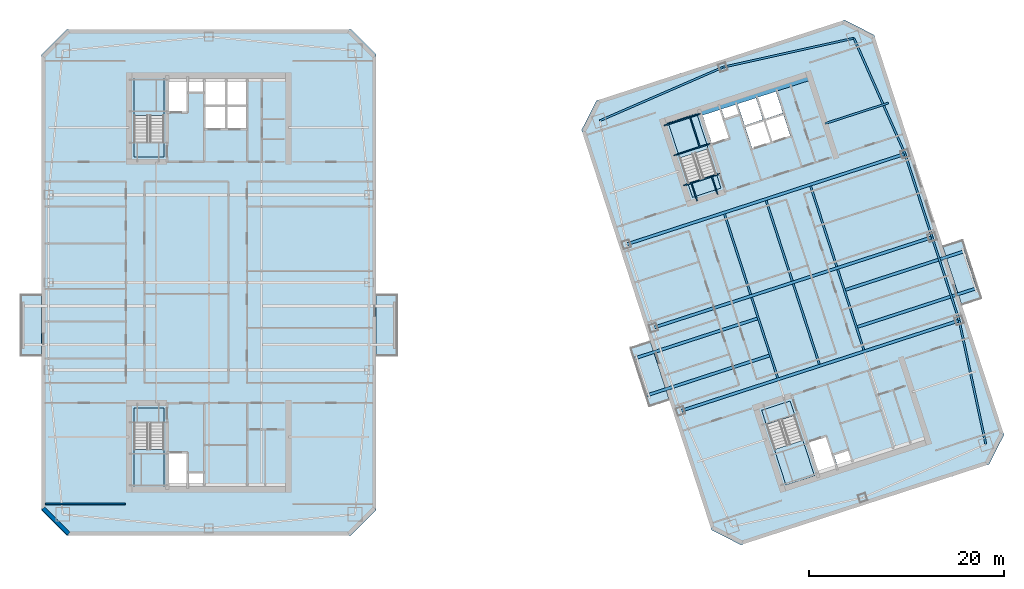
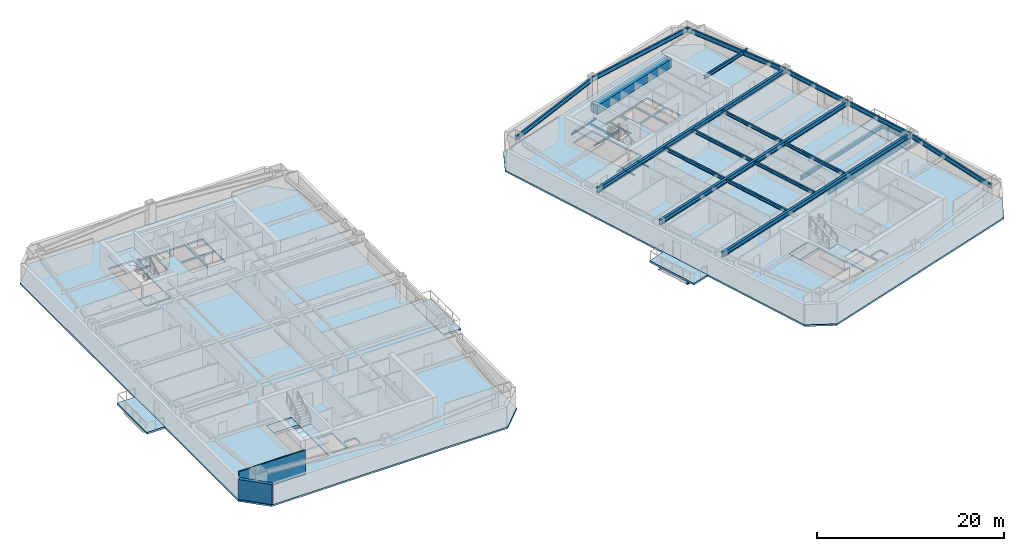
# One storey, part 4 of 15: 28 beams, 14 slabs, 2 walls, 4 elements without a shape of their own.
"""IFC4 building model written with IfcOpenShell, lengths in metres."""

from ifc_helpers import new_model, si_unit, direction, frame, frame_2d, origin, origin_2d, place, context, subcontext, project, spatial, polyline, rectangle, i_section, outline, extrude, material, layer, layer_set, material_profile, profile_set, type_object, element, aggregate, save


model = new_model("IFC4")

# Units and contexts
model_context = context("Model", 3, precision=1e-05, world=origin(), true_north=direction((0.0, 1.0)))
body_context = subcontext(model_context, "Body", "Model", "MODEL_VIEW")
ifc_project = project(units=[si_unit("LENGTHUNIT", "METRE"), si_unit("AREAUNIT", "SQUARE_METRE"), si_unit("VOLUMEUNIT", "CUBIC_METRE"), si_unit("PLANEANGLEUNIT", "RADIAN"), si_unit("MASSUNIT", "GRAM", prefix="KILO")], contexts=[model_context])

# Site, building, storey
site_placement = place(None, origin())
site = spatial("IfcSite", under=ifc_project, at=site_placement, CompositionType="ELEMENT")
building_placement = place(site_placement, origin())
building = spatial("IfcBuilding", under=site, at=building_placement, Name="Qiaolan Cultural Towers", CompositionType="ELEMENT")
storey_placement = place(building_placement, frame((0.0, 0.0, 166.75)))
storey = spatial("IfcBuildingStorey", under=building, at=storey_placement, Name="L44", CompositionType="ELEMENT", Elevation=166.75)

# Beams
ifc_material_1 = material(Name="Steel Q355B", Category="steel")
ifc_material_profile_1 = material_profile(ifc_material_1, i_section(OverallWidth=0.300048828125, OverallDepth=0.488037109375, WebThickness=0.010986328125, FlangeThickness=0.01806640625, at=origin_2d()), Name="HM488x300x11x18")
ifc_profile_set_1 = profile_set([ifc_material_profile_1], Name="Steel Q355B")
beam_type_1 = type_object("IfcBeamType", Name="BM-HM488x300x11x18", PredefinedType="BEAM", material=ifc_profile_set_1)
for number, where, z_axis, x_axis, name in (
    (1, (87.697998046875, 26.522705078125, -0.52392578125), (-0.951053553769, -0.309026111943, 0.0), (0.309026111943, -0.951053553769, 0.0), "L44 T2 Tree Balcony Back-Spanned Bracket Beam"),
    (2, (86.4619140625, 30.326904296875, -0.52392578125), (-0.951053553769, -0.309026111943, 0.0), (0.309026111943, -0.951053553769, 0.0), "L44 T2 Tree Balcony Back-Spanned Bracket Beam"),
):
    element("IfcBeam", number, at=place(storey_placement, frame(where, z_axis=z_axis, x_axis=x_axis)), inside=storey, type_object=beam_type_1, Name=name, PredefinedType="BEAM", context=body_context, shape_type="SweptSolid", body=[
        extrude(i_section(OverallWidth=0.300048828125, OverallDepth=0.488037109375, WebThickness=0.010986328125, FlangeThickness=0.01806640625, at=origin_2d()), origin(), (0.0, 0.0, 1.0), 13.349853515625),
    ])
for number, where, z_axis, x_axis, name in (
    (3, (96.542724609375, 29.396484375, -0.52392578125), (0.951056200688, 0.309017965713, 0.0), (-0.309017965713, 0.951056200688, 0.0), "L44 T2 Tree Balcony Back-Spanned Bracket Beam"),
    (4, (95.306640625, 33.20068359375, -0.52392578125), (0.951056200688, 0.309017965713, 0.0), (-0.309017965713, 0.951056200688, 0.0), "L44 T2 Tree Balcony Back-Spanned Bracket Beam"),
):
    element("IfcBeam", number, at=place(storey_placement, frame(where, z_axis=z_axis, x_axis=x_axis)), inside=storey, type_object=beam_type_1, Name=name, PredefinedType="BEAM", context=body_context, shape_type="SweptSolid", body=[
        extrude(i_section(OverallWidth=0.300048828125, OverallDepth=0.488037109375, WebThickness=0.010986328125, FlangeThickness=0.01806640625, at=origin_2d()), origin(), (0.0, 0.0, 1.0), 13.050048828125),
    ])
ifc_material_2 = material(Name="Steel Q355B", Category="steel")
ifc_material_profile_2 = material_profile(ifc_material_2, i_section(OverallWidth=0.300048828125, OverallDepth=0.587890625, WebThickness=0.011962890625, FlangeThickness=0.02001953125, at=origin_2d()), Name="HM588x300x12x20")
ifc_profile_set_2 = profile_set([ifc_material_profile_2], Name="Steel Q355B")
beam_type_2 = type_object("IfcBeamType", Name="BM-HM588x300x12x20", PredefinedType="BEAM", material=ifc_profile_set_2)
beam_1_placement = place(storey_placement, frame((78.4677734375, 20.789794921875, 2.89599609375), z_axis=(0.951055226628, 0.309020963535, 0.0), x_axis=(-0.309020963535, 0.951055226628, 0.0)))
element("IfcBeam", 5, at=beam_1_placement, inside=storey, type_object=beam_type_2, Name="L44 T2 Primary Transverse Girder V1", PredefinedType="BEAM", context=body_context, shape_type="SweptSolid", body=[
    extrude(i_section(OverallWidth=0.300048828125, OverallDepth=0.587890625, WebThickness=0.011962890625, FlangeThickness=0.02001953125, at=origin_2d()), origin(), (0.0, 0.0, 1.0), 30.099853515625),
])
beam_2_placement = place(storey_placement, frame((75.6865234375, 29.349365234375, 2.89599609375), z_axis=(0.951058384903, 0.309011243331, 0.0), x_axis=(-0.309011243331, 0.951058384903, 0.0)))
element("IfcBeam", 6, at=beam_2_placement, inside=storey, type_object=beam_type_2, Name="L44 T2 Primary Transverse Girder V2", PredefinedType="BEAM", context=body_context, shape_type="SweptSolid", body=[
    extrude(i_section(OverallWidth=0.300048828125, OverallDepth=0.587890625, WebThickness=0.011962890625, FlangeThickness=0.02001953125, at=origin_2d()), origin(), (0.0, 0.0, 1.0), 30.10009765625),
])
beam_3_placement = place(storey_placement, frame((72.905517578125, 37.90869140625, 2.89599609375), z_axis=(0.951055226628, 0.309020963535, 0.0), x_axis=(-0.309020963535, 0.951055226628, 0.0)))
element("IfcBeam", 7, at=beam_3_placement, inside=storey, type_object=beam_type_2, Name="L44 T2 Primary Transverse Girder V3", PredefinedType="BEAM", context=body_context, shape_type="SweptSolid", body=[
    extrude(i_section(OverallWidth=0.300048828125, OverallDepth=0.587890625, WebThickness=0.011962890625, FlangeThickness=0.02001953125, at=origin_2d()), origin(), (0.0, 0.0, 1.0), 30.099853515625),
])
ifc_material_3 = material(Name="Steel Q355B", Category="steel")
ifc_material_profile_3 = material_profile(ifc_material_3, i_section(OverallWidth=0.175048828125, OverallDepth=0.35009765625, WebThickness=0.007080078125, FlangeThickness=0.010986328125, at=origin_2d()), Name="HN350x175x7x11")
ifc_profile_set_3 = profile_set([ifc_material_profile_3], Name="Steel Q355B")
beam_type_3 = type_object("IfcBeamType", Name="BM-JST-HN350x175x7x11", PredefinedType="JOIST", material=ifc_profile_set_3)
beam_4_placement = place(storey_placement, frame((108.9541015625, 33.42919921875, -0.52392578125), z_axis=(-0.309022586479, 0.951054699292, 0.0), x_axis=(-0.951054699292, -0.309022586479, 0.0)))
element("IfcBeam", 8, at=beam_4_placement, inside=storey, type_object=beam_type_3, Name="L44 T2 Tree Balcony Outer Edge Beam", PredefinedType="JOIST", context=body_context, shape_type="SweptSolid", body=[
    extrude(i_section(OverallWidth=0.175048828125, OverallDepth=0.35009765625, WebThickness=0.007080078125, FlangeThickness=0.010986328125, at=origin_2d()), origin(), (0.0, 0.0, 1.0), 4.0),
])
ifc_material_4 = material(Name="Steel Q355B", Category="steel")
ifc_material_profile_4 = material_profile(ifc_material_4, i_section(OverallWidth=0.199951171875, OverallDepth=0.39990234375, WebThickness=0.008056640625, FlangeThickness=0.012939453125, at=origin_2d()), Name="HN400x200x8x13")
ifc_profile_set_4 = profile_set([ifc_material_profile_4], Name="Steel Q355B")
beam_type_4 = type_object("IfcBeamType", Name="BM-JST-HN400x200x8x13", PredefinedType="JOIST", material=ifc_profile_set_4)
for number, where, z_axis, x_axis, name in (
    (9, (88.455078125, 24.192626953125, 2.989990234375), (-0.309020714809, 0.951055307445, 0.0), (-0.951055307445, -0.309020714809, 0.0), "L44 T2 Secondary Floor Joist U1-2"),
    (10, (85.673828125, 32.752197265625, 2.989990234375), (-0.309020714809, 0.951055307445, 0.0), (-0.951055307445, -0.309020714809, 0.0), "L44 T2 Secondary Floor Joist U1-3"),
    (11, (92.73486328125, 25.583251953125, 2.989990234375), (-0.309020714809, 0.951055307445, 0.0), (-0.951055307445, -0.309020714809, 0.0), "L44 T2 Secondary Floor Joist U2-2"),
    (12, (89.95361328125, 34.142578125, 2.989990234375), (-0.309020714809, 0.951055307445, 0.0), (-0.951055307445, -0.309020714809, 0.0), "L44 T2 Secondary Floor Joist U2-3"),
    (13, (97.2998046875, 27.06640625, 2.989990234375), (-0.309020714809, 0.951055307445, 0.0), (-0.951055307445, -0.309020714809, 0.0), "L44 T2 Secondary Floor Joist U3-2"),
    (14, (94.518798828125, 35.6259765625, 2.989990234375), (-0.309020714809, 0.951055307445, 0.0), (-0.951055307445, -0.309020714809, 0.0), "L44 T2 Secondary Floor Joist U3-3"),
):
    element("IfcBeam", number, at=place(storey_placement, frame(where, z_axis=z_axis, x_axis=x_axis)), inside=storey, type_object=beam_type_4, Name=name, PredefinedType="JOIST", context=body_context, shape_type="SweptSolid", body=[
        extrude(i_section(OverallWidth=0.199951171875, OverallDepth=0.39990234375, WebThickness=0.008056640625, FlangeThickness=0.012939453125, at=origin_2d()), origin(), (0.0, 0.0, 1.0), 8.699951171875),
    ])
ifc_material_5 = material(Name="Steel Q355B", Category="steel")
ifc_material_profile_5 = material_profile(ifc_material_5, i_section(OverallWidth=0.199951171875, OverallDepth=0.449951171875, WebThickness=0.009033203125, FlangeThickness=0.013916015625, at=origin_2d()), Name="HN450x200x9x14")
ifc_profile_set_5 = profile_set([ifc_material_profile_5], Name="Steel Q355B")
beam_type_5 = type_object("IfcBeamType", Name="BM-LNT-HN450x200x9x14", PredefinedType="LINTEL", material=ifc_profile_set_5)
beam_5_placement = place(storey_placement, frame((93.31787109375, 50.32421875, 2.965087890625), z_axis=(0.951061565824, 0.30900145309, 0.0), x_axis=(-0.30900145309, 0.951061565824, 0.0)))
element("IfcBeam", 15, at=beam_5_placement, inside=storey, type_object=beam_type_5, Name="L44 T2 Core Flank Tie Lintel EN", PredefinedType="LINTEL", context=body_context, shape_type="SweptSolid", body=[
    extrude(i_section(OverallWidth=0.199951171875, OverallDepth=0.449951171875, WebThickness=0.009033203125, FlangeThickness=0.013916015625, at=origin_2d()), origin(), (0.0, 0.0, 1.0), 6.85009765625),
])
ifc_material_6 = material(Name="Concrete C50", Category="concrete")
ifc_material_profile_6 = material_profile(ifc_material_6, rectangle(XDim=0.89990234375, YDim=1.10009765625, at=origin_2d()), Name="RC900x1100")
ifc_profile_set_6 = profile_set([ifc_material_profile_6], Name="Concrete C50")
beam_type_6 = type_object("IfcBeamType", Name="BM-RC900x1100", PredefinedType="BEAM", material=ifc_profile_set_6)
beam_6_placement = place(storey_placement, frame((80.427978515625, 51.551025390625, 2.639892578125), z_axis=(0.951056266386, 0.309017763514, 0.0), x_axis=(-0.309017763514, 0.951056266386, 0.0)))
element("IfcBeam", 16, at=beam_6_placement, inside=storey, type_object=beam_type_6, Name="L44 T2 Core Header Girder N", PredefinedType="BEAM", context=body_context, shape_type="SweptSolid", body=[
    extrude(rectangle(XDim=0.89990234375, YDim=1.10009765625, at=origin_2d()), origin(), (0.0, 0.0, 1.0), 11.880126953125),
])
ifc_material_7 = material(Name="Steel Q355B", Category="steel")
ifc_material_profile_7 = material_profile(ifc_material_7, i_section(OverallWidth=0.199951171875, OverallDepth=0.60009765625, WebThickness=0.010986328125, FlangeThickness=0.01708984375, at=origin_2d()), Name="HN600x200x11x17")
ifc_profile_set_7 = profile_set([ifc_material_profile_7], Name="Steel Q355B")
beam_type_7 = type_object("IfcBeamType", Name="BM-SPD-HN600x200x11x17", PredefinedType="SPANDREL", material=ifc_profile_set_7)
beam_7_placement = place(storey_placement, frame((109.834716796875, 17.38623046875, 2.889892578125), z_axis=(-0.210832241173, 0.977522258612, 0.0), x_axis=(-0.977522258612, -0.210832241173, 0.0)))
element("IfcBeam", 17, at=beam_7_placement, inside=storey, type_object=beam_type_7, Name="L44 T2 Perimeter Spandrel Beam 3", PredefinedType="SPANDREL", context=body_context, shape_type="SweptSolid", body=[
    extrude(i_section(OverallWidth=0.199951171875, OverallDepth=0.60009765625, WebThickness=0.010986328125, FlangeThickness=0.01708984375, at=origin_2d()), origin(), (0.0, 0.0, 1.0), 12.997314453125),
])
beam_8_placement = place(storey_placement, frame((107.094482421875, 30.09130859375, 2.889892578125), z_axis=(-0.309008170129, 0.951059383421, 0.0), x_axis=(-0.951059383421, -0.309008170129, 0.0)))
element("IfcBeam", 18, at=beam_8_placement, inside=storey, type_object=beam_type_7, Name="L44 T2 Perimeter Spandrel Beam 4", PredefinedType="SPANDREL", context=body_context, shape_type="SweptSolid", body=[
    extrude(i_section(OverallWidth=0.199951171875, OverallDepth=0.60009765625, WebThickness=0.010986328125, FlangeThickness=0.01708984375, at=origin_2d()), origin(), (0.0, 0.0, 1.0), 8.999755859375),
])
beam_9_placement = place(storey_placement, frame((104.3134765625, 38.650634765625, 2.889892578125), z_axis=(-0.309024734286, 0.951054001411, 0.0), x_axis=(-0.951054001411, -0.309024734286, 0.0)))
element("IfcBeam", 19, at=beam_9_placement, inside=storey, type_object=beam_type_7, Name="L44 T2 Perimeter Spandrel Beam 5", PredefinedType="SPANDREL", context=body_context, shape_type="SweptSolid", body=[
    extrude(i_section(OverallWidth=0.199951171875, OverallDepth=0.60009765625, WebThickness=0.010986328125, FlangeThickness=0.01708984375, at=origin_2d()), origin(), (0.0, 0.0, 1.0), 9.0),
])
beam_10_placement = place(storey_placement, frame((101.5322265625, 47.210205078125, 2.889892578125), z_axis=(-0.404011070002, 0.914754095545, 0.0), x_axis=(-0.914754095545, -0.404011070002, 0.0)))
element("IfcBeam", 20, at=beam_10_placement, inside=storey, type_object=beam_type_7, Name="L44 T2 Perimeter Spandrel Beam 6", PredefinedType="SPANDREL", context=body_context, shape_type="SweptSolid", body=[
    extrude(i_section(OverallWidth=0.199951171875, OverallDepth=0.60009765625, WebThickness=0.010986328125, FlangeThickness=0.01708984375, at=origin_2d()), origin(), (0.0, 0.0, 1.0), 12.9970703125),
])
beam_11_placement = place(storey_placement, frame((96.28125, 59.099365234375, 2.889892578125), z_axis=(-0.976265293399, -0.216578108094, 0.0), x_axis=(0.216578108094, -0.976265293399, 0.0)))
element("IfcBeam", 21, at=beam_11_placement, inside=storey, type_object=beam_type_7, Name="L44 T2 Perimeter Spandrel Beam 7", PredefinedType="SPANDREL", context=body_context, shape_type="SweptSolid", body=[
    extrude(i_section(OverallWidth=0.199951171875, OverallDepth=0.60009765625, WebThickness=0.010986328125, FlangeThickness=0.01708984375, at=origin_2d()), origin(), (0.0, 0.0, 1.0), 13.793212890625),
])
beam_12_placement = place(storey_placement, frame((82.8154296875, 56.112060546875, 2.889892578125), z_axis=(-0.917117043091, -0.398618024268, 0.0), x_axis=(0.398618024268, -0.917117043091, 0.0)))
element("IfcBeam", 22, at=beam_12_placement, inside=storey, type_object=beam_type_7, Name="L44 T2 Perimeter Spandrel Beam 8", PredefinedType="SPANDREL", context=body_context, shape_type="SweptSolid", body=[
    extrude(i_section(OverallWidth=0.199951171875, OverallDepth=0.60009765625, WebThickness=0.010986328125, FlangeThickness=0.01708984375, at=origin_2d()), origin(), (0.0, 0.0, 1.0), 13.79345703125),
])
ifc_material_8 = material(Name="Steel Q355B", Category="steel")
ifc_material_profile_8 = material_profile(ifc_material_8, i_section(OverallWidth=0.10009765625, OverallDepth=0.199951171875, WebThickness=0.005615234375, FlangeThickness=0.008056640625, at=origin_2d()), Name="HN200x100x5.5x8")
ifc_profile_set_8 = profile_set([ifc_material_profile_8], Name="Steel Q355B")
beam_type_8 = type_object("IfcBeamType", Name="BM-STTRIM-200", PredefinedType="BEAM", material=ifc_profile_set_8)
beam_13_placement = place(storey_placement, frame((78.773193359375, 43.958251953125, -0.4599609375), z_axis=(0.951072048947, 0.3089691857, 0.0), x_axis=(-0.3089691857, 0.951072048947, 0.0)))
element("IfcBeam", 23, at=beam_13_placement, inside=storey, type_object=beam_type_8, Name="L44 ST-E2 Floor Landing Header Beam", PredefinedType="BEAM", context=body_context, shape_type="SweptSolid", body=[
    extrude(i_section(OverallWidth=0.10009765625, OverallDepth=0.199951171875, WebThickness=0.005615234375, FlangeThickness=0.008056640625, at=origin_2d()), origin(), (0.0, 0.0, 1.0), 3.920166015625),
])
for number, where, z_axis, x_axis, name in (
    (24, (80.18115234375, 42.375732421875, -0.4599609375), (-0.308969394428, 0.951071981138, 0.0), (-0.951071981138, -0.308969394428, 0.0), "L44 ST-E2 Floor Landing Stringer 1"),
    (25, (82.2734375, 43.0556640625, -0.4599609375), (-0.308969394428, 0.951071981138, 0.0), (-0.951071981138, -0.308969394428, 0.0), "L44 ST-E2 Floor Landing Stringer 2"),
):
    element("IfcBeam", number, at=place(storey_placement, frame(where, z_axis=z_axis, x_axis=x_axis)), inside=storey, type_object=beam_type_8, Name=name, PredefinedType="BEAM", context=body_context, shape_type="SweptSolid", body=[
        extrude(i_section(OverallWidth=0.10009765625, OverallDepth=0.199951171875, WebThickness=0.005615234375, FlangeThickness=0.008056640625, at=origin_2d()), origin(), (0.0, 0.0, 1.0), 1.93994140625),
    ])
for number, where, z_axis, x_axis, name in (
    (26, (77.769287109375, 47.0478515625, 1.425048828125), (0.951053746643, 0.309025518358, 0.0), (-0.309025518358, 0.951053746643, 0.0), "L44 ST-E2 Stair Landing Support Beam 1-1"),
    (27, (76.770751953125, 50.12109375, 1.425048828125), (0.951072048947, 0.3089691857, 0.0), (-0.3089691857, 0.951072048947, 0.0), "L44 ST-E2 Stair Landing Support Beam 1-2"),
):
    element("IfcBeam", number, at=place(storey_placement, frame(where, z_axis=z_axis, x_axis=x_axis)), inside=storey, type_object=beam_type_8, Name=name, PredefinedType="BEAM", context=body_context, shape_type="SweptSolid", body=[
        extrude(i_section(OverallWidth=0.10009765625, OverallDepth=0.199951171875, WebThickness=0.005615234375, FlangeThickness=0.008056640625, at=origin_2d()), origin(), (0.0, 0.0, 1.0), 3.920166015625),
    ])
beam_14_placement = place(storey_placement, frame((80.44189453125, 47.916259765625, 1.425048828125), z_axis=(-0.309033108495, 0.951051280349, 0.0), x_axis=(-0.951051280349, -0.309033108495, 0.0)))
element("IfcBeam", 28, at=beam_14_placement, inside=storey, type_object=beam_type_8, Name="L44 ST-E2 Stair Landing Trimmer 1", PredefinedType="BEAM", context=body_context, shape_type="SweptSolid", body=[
    extrude(i_section(OverallWidth=0.10009765625, OverallDepth=0.199951171875, WebThickness=0.005615234375, FlangeThickness=0.008056640625, at=origin_2d()), origin(), (0.0, 0.0, 1.0), 3.231201171875),
])

# Slabs
ifc_material_9 = material(Name="Concrete C45", Category="concrete")
ifc_layer_1 = layer(ifc_material_9, 0.239990234375)
ifc_layer_set_1 = layer_set([ifc_layer_1], Name="Concrete C45")
slab_type_1 = type_object("IfcSlabType", Name="SL-BAL-240", PredefinedType="FLOOR", material=ifc_layer_set_1)
slab_1_placement = place(storey_placement, frame((0.0, 0.0, -0.239990234375)))
element("IfcSlab", 29, at=slab_1_placement, inside=storey, type_object=slab_type_1, Name="L44 T1 Planted Tree Balcony W", PredefinedType="FLOOR", context=body_context, shape_type="SweptSolid", body=[
    extrude(outline(polyline([(10.60009765625, 26.39990234375), (12.800048828125, 26.39990234375), (12.800048828125, 32.800048828125), (10.60009765625, 32.800048828125), (10.60009765625, 26.39990234375)])), origin(), (0.0, 0.0, 1.0), 0.239990234375),
])
slab_2_placement = place(storey_placement, frame((0.0, 0.0, -0.239990234375)))
element("IfcSlab", 30, at=slab_2_placement, inside=storey, type_object=slab_type_1, Name="L44 T1 Planted Tree Balcony E", PredefinedType="FLOOR", context=body_context, shape_type="SweptSolid", body=[
    extrude(outline(polyline([(47.199951171875, 26.39990234375), (49.39990234375, 26.39990234375), (49.39990234375, 32.800048828125), (47.199951171875, 32.800048828125), (47.199951171875, 26.39990234375)])), origin(), (0.0, 0.0, 1.0), 0.239990234375),
])
slab_3_placement = place(storey_placement, frame((0.0, 0.0, -0.239990234375)))
element("IfcSlab", 31, at=slab_3_placement, inside=storey, type_object=slab_type_1, Name="L44 T2 Planted Tree Balcony W", PredefinedType="FLOOR", context=body_context, shape_type="SweptSolid", body=[
    extrude(outline(polyline([(75.2294921875, 21.209716796875), (77.32177734375, 21.889404296875), (75.34423828125, 27.976318359375), (73.251708984375, 27.29638671875), (75.2294921875, 21.209716796875)])), origin(), (0.0, 0.0, 1.0), 0.239990234375),
])
slab_4_placement = place(storey_placement, frame((0.0, 0.0, -0.239990234375)))
element("IfcSlab", 32, at=slab_4_placement, inside=storey, type_object=slab_type_1, Name="L44 T2 Planted Tree Balcony E", PredefinedType="FLOOR", context=body_context, shape_type="SweptSolid", body=[
    extrude(outline(polyline([(107.375244140625, 31.654541015625), (109.467529296875, 32.334228515625), (107.48974609375, 38.421142578125), (105.3974609375, 37.7412109375), (107.375244140625, 31.654541015625)])), origin(), (0.0, 0.0, 1.0), 0.239990234375),
])

# Stair, slab
ifc_material_10 = material(Name="Concrete C45", Category="concrete")
stair_type = type_object("IfcStairType", Name="STR-CORE-1500", PredefinedType="HALF_TURN_STAIR", material=ifc_material_10)
stair_1_placement = place(storey_placement, origin())
stair_1 = element("IfcStair", 33, at=stair_1_placement, inside=storey, type_object=stair_type, Name="L44 Smokeproof Exit Stair ST-W1", PredefinedType="HALF_TURN_STAIR")
ifc_material_11 = material(Name="Concrete C45", Category="concrete")
ifc_layer_2 = layer(ifc_material_11, 0.199951171875)
ifc_layer_set_2 = layer_set([ifc_layer_2], Name="Concrete C45")
slab_type_2 = type_object("IfcSlabType", Name="SL-STAIR-LAND", PredefinedType="LANDING", material=ifc_layer_set_2)
slab_5_placement = place(storey_placement, frame((0.0, 0.0, 1.52490234375)))
slab_5 = element("IfcSlab", 34, at=slab_5_placement, type_object=slab_type_2, Name="ST-W1 landing 1", PredefinedType="LANDING", context=body_context, shape_type="SweptSolid", body=[
    extrude(outline(polyline([(22.300048828125, 16.851318359375), (22.300048828125, 13.0), (25.3798828125, 13.0), (25.3798828125, 16.851318359375), (22.300048828125, 16.851318359375)])), origin(), (0.0, 0.0, 1.0), 0.2001953125),
])
aggregate(stair_1, [slab_5])

stair_2_placement = place(storey_placement, origin())
stair_2 = element("IfcStair", 35, at=stair_2_placement, inside=storey, type_object=stair_type, Name="L44 Smokeproof Exit Stair ST-W2", PredefinedType="HALF_TURN_STAIR")
slab_6_placement = place(storey_placement, frame((0.0, 0.0, 1.52490234375)))
slab_6 = element("IfcSlab", 36, at=slab_6_placement, type_object=slab_type_2, Name="ST-W2 landing 1", PredefinedType="LANDING", context=body_context, shape_type="SweptSolid", body=[
    extrude(outline(polyline([(25.3798828125, 51.148681640625), (25.3798828125, 55.0), (22.300048828125, 55.0), (22.300048828125, 51.148681640625), (25.3798828125, 51.148681640625)])), origin(), (0.0, 0.0, 1.0), 0.2001953125),
])
aggregate(stair_2, [slab_6])

stair_3_placement = place(storey_placement, origin())
stair_3 = element("IfcStair", 37, at=stair_3_placement, inside=storey, type_object=stair_type, Name="L44 Smokeproof Exit Stair ST-E1", PredefinedType="HALF_TURN_STAIR")
slab_7_placement = place(storey_placement, frame((0.0, 0.0, 1.52490234375)))
slab_7 = element("IfcSlab", 38, at=slab_7_placement, type_object=slab_type_2, Name="ST-E1 landing 1", PredefinedType="LANDING", context=body_context, shape_type="SweptSolid", body=[
    extrude(outline(polyline([(88.114013671875, 16.828125), (89.30419921875, 13.165283203125), (92.2333984375, 14.116943359375), (91.04345703125, 17.77978515625), (88.114013671875, 16.828125)])), origin(), (0.0, 0.0, 1.0), 0.2001953125),
])
aggregate(stair_3, [slab_7])

stair_4_placement = place(storey_placement, origin())
stair_4 = element("IfcStair", 39, at=stair_4_placement, inside=storey, type_object=stair_type, Name="L44 Smokeproof Exit Stair ST-E2", PredefinedType="HALF_TURN_STAIR")
slab_8_placement = place(storey_placement, frame((0.0, 0.0, 1.52490234375)))
slab_8 = element("IfcSlab", 40, at=slab_8_placement, type_object=slab_type_2, Name="ST-E2 landing 1", PredefinedType="LANDING", context=body_context, shape_type="SweptSolid", body=[
    extrude(outline(polyline([(81.31005859375, 47.735595703125), (80.1201171875, 51.3984375), (77.190673828125, 50.44677734375), (78.380859375, 46.783935546875), (81.31005859375, 47.735595703125)])), origin(), (0.0, 0.0, 1.0), 0.2001953125),
])
aggregate(stair_4, [slab_8])

# Slabs
ifc_material_12 = material(Name="Concrete C40", Category="concrete")
ifc_layer_3 = layer(ifc_material_12, 0.360107421875)
ifc_layer_set_3 = layer_set([ifc_layer_3], Name="Concrete C40")
slab_type_3 = type_object("IfcSlabType", Name="SL-STFLR-360", PredefinedType="LANDING", material=ifc_layer_set_3)
slab_9_placement = place(storey_placement, frame((0.0, 0.0, -0.360107421875)))
element("IfcSlab", 41, at=slab_9_placement, inside=storey, type_object=slab_type_3, Name="L44 ST-W1 Stair Floor Landing Slab", PredefinedType="LANDING", context=body_context, shape_type="SweptSolid", body=[
    extrude(outline(polyline([(22.302001953125, 21.097900390625), (22.302001953125, 19.548583984375), (25.3779296875, 19.548583984375), (25.3779296875, 21.097900390625), (22.302001953125, 21.097900390625)])), origin(), (0.0, 0.0, 1.0), 0.360107421875),
])
slab_10_placement = place(storey_placement, frame((0.0, 0.0, -0.360107421875)))
element("IfcSlab", 42, at=slab_10_placement, inside=storey, type_object=slab_type_3, Name="L44 ST-W2 Stair Floor Landing Slab", PredefinedType="LANDING", context=body_context, shape_type="SweptSolid", body=[
    extrude(outline(polyline([(25.3779296875, 46.902099609375), (25.3779296875, 48.451416015625), (22.302001953125, 48.451416015625), (22.302001953125, 46.902099609375), (25.3779296875, 46.902099609375)])), origin(), (0.0, 0.0, 1.0), 0.360107421875),
])
slab_11_placement = place(storey_placement, frame((0.0, 0.0, -0.360107421875)))
element("IfcSlab", 43, at=slab_11_placement, inside=storey, type_object=slab_type_3, Name="L44 ST-E1 Stair Floor Landing Slab", PredefinedType="LANDING", context=body_context, shape_type="SweptSolid", body=[
    extrude(outline(polyline([(86.8037109375, 20.867431640625), (87.282470703125, 19.39404296875), (90.2080078125, 20.3447265625), (89.729248046875, 21.818115234375), (86.8037109375, 20.867431640625)])), origin(), (0.0, 0.0, 1.0), 0.360107421875),
])
slab_12_placement = place(storey_placement, frame((0.0, 0.0, -0.360107421875)))
element("IfcSlab", 44, at=slab_12_placement, inside=storey, type_object=slab_type_3, Name="L44 ST-E2 Stair Floor Landing Slab", PredefinedType="LANDING", context=body_context, shape_type="SweptSolid", body=[
    extrude(outline(polyline([(82.62060546875, 43.6962890625), (82.141845703125, 45.169677734375), (79.21630859375, 44.21923828125), (79.695068359375, 42.74560546875), (82.62060546875, 43.6962890625)])), origin(), (0.0, 0.0, 1.0), 0.360107421875),
])
ifc_material_13 = material(Name="Concrete C45", Category="concrete")
ifc_layer_4 = layer(ifc_material_13, 0.219970703125)
ifc_layer_set_4 = layer_set([ifc_layer_4], Name="Concrete C45")
slab_type_4 = type_object("IfcSlabType", Name="SL-TYP-220", PredefinedType="FLOOR", material=ifc_layer_set_4)
slab_13_placement = place(storey_placement, frame((0.0, 0.0, -0.219970703125)))
element("IfcSlab", 45, at=slab_13_placement, inside=storey, type_object=slab_type_4, Name="L44 West Tower Floor Slab", PredefinedType="FLOOR", context=body_context, shape_type="SweptSolid", body=[
    extrude(outline(polyline([(15.39990234375, 8.0), (44.60009765625, 8.0), (47.199951171875, 10.60009765625), (47.199951171875, 57.39990234375), (44.60009765625, 60.0), (15.39990234375, 60.0), (12.800048828125, 57.39990234375), (12.800048828125, 10.60009765625), (15.39990234375, 8.0)]), holes=[polyline([(22.300048828125, 21.10009765625), (22.300048828125, 13.0), (25.3798828125, 13.0), (25.3798828125, 21.10009765625), (22.300048828125, 21.10009765625)]), polyline([(25.3798828125, 46.89990234375), (25.3798828125, 55.0), (22.300048828125, 55.0), (22.300048828125, 46.89990234375), (25.3798828125, 46.89990234375)]), polyline([(25.89990234375, 13.199951171875), (27.75, 13.199951171875), (27.75, 16.449951171875), (25.89990234375, 16.449951171875), (25.89990234375, 13.199951171875)]), polyline([(27.93994140625, 13.25), (29.449951171875, 13.25), (29.449951171875, 14.419921875), (27.93994140625, 14.419921875), (27.93994140625, 13.25)]), polyline([(25.89990234375, 51.550048828125), (27.75, 51.550048828125), (27.75, 54.800048828125), (25.89990234375, 54.800048828125), (25.89990234375, 51.550048828125)]), polyline([(27.93994140625, 53.580078125), (29.449951171875, 53.580078125), (29.449951171875, 54.75), (27.93994140625, 54.75), (27.93994140625, 53.580078125)]), polyline([(29.679931640625, 49.820068359375), (31.679931640625, 49.820068359375), (31.679931640625, 52.080078125), (29.679931640625, 52.080078125), (29.679931640625, 49.820068359375)]), polyline([(31.8798828125, 49.820068359375), (33.820068359375, 49.820068359375), (33.820068359375, 52.080078125), (31.8798828125, 52.080078125), (31.8798828125, 49.820068359375)]), polyline([(29.679931640625, 52.27001953125), (31.659912109375, 52.27001953125), (31.659912109375, 54.75), (29.679931640625, 54.75), (29.679931640625, 52.27001953125)]), polyline([(31.8798828125, 52.27001953125), (33.820068359375, 52.27001953125), (33.820068359375, 54.75), (31.8798828125, 54.75), (31.8798828125, 52.27001953125)])]), origin(), (0.0, 0.0, 1.0), 0.219970703125),
])
slab_14_placement = place(storey_placement, frame((0.0, 0.0, -0.219970703125)))
element("IfcSlab", 46, at=slab_14_placement, inside=storey, type_object=slab_type_4, Name="L44 East Tower Floor Slab", PredefinedType="FLOOR", context=body_context, shape_type="SweptSolid", body=[
    extrude(outline(polyline([(84.67236328125, 7.033935546875), (110.16064453125, 15.3154296875), (111.701416015625, 18.339599609375), (98.351806640625, 59.42529296875), (95.32763671875, 60.966064453125), (69.83935546875, 52.6845703125), (68.298583984375, 49.660400390625), (81.648193359375, 8.57470703125), (84.67236328125, 7.033935546875)]), holes=[polyline([(86.80126953125, 20.868896484375), (89.30419921875, 13.165283203125), (92.2333984375, 14.116943359375), (89.73046875, 21.820556640625), (86.80126953125, 20.868896484375)]), polyline([(82.623046875, 43.69482421875), (80.1201171875, 51.3984375), (77.190673828125, 50.44677734375), (79.69384765625, 42.7431640625), (82.623046875, 43.69482421875)]), polyline([(92.666259765625, 14.468017578125), (94.42578125, 15.03955078125), (93.42138671875, 18.130615234375), (91.661865234375, 17.558837890625), (92.666259765625, 14.468017578125)]), polyline([(94.5908203125, 15.14599609375), (96.027099609375, 15.612548828125), (95.66552734375, 16.725341796875), (94.2294921875, 16.258544921875), (94.5908203125, 15.14599609375)]), polyline([(81.6806640625, 48.278076171875), (83.440185546875, 48.849609375), (82.435791015625, 51.940673828125), (80.67626953125, 51.368896484375), (81.6806640625, 48.278076171875)]), polyline([(82.993408203125, 50.839111328125), (84.4296875, 51.3056640625), (84.068115234375, 52.41845703125), (82.632080078125, 51.95166015625), (82.993408203125, 50.839111328125)]), polyline([(85.810302734375, 47.80078125), (87.71240234375, 48.418701171875), (87.013916015625, 50.568115234375), (85.11181640625, 49.9501953125), (85.810302734375, 47.80078125)]), polyline([(87.902587890625, 48.480712890625), (89.74755859375, 49.080078125), (89.04931640625, 51.2294921875), (87.2041015625, 50.6298828125), (87.902587890625, 48.480712890625)]), polyline([(85.05322265625, 50.130859375), (86.936279296875, 50.74267578125), (86.169921875, 53.101318359375), (84.286865234375, 52.489501953125), (85.05322265625, 50.130859375)]), polyline([(87.1455078125, 50.810791015625), (88.990478515625, 51.41015625), (88.22412109375, 53.768798828125), (86.379150390625, 53.169189453125), (87.1455078125, 50.810791015625)])]), origin(), (0.0, 0.0, 1.0), 0.219970703125),
])

# Walls
ifc_material_14 = material(Name="Precast Concrete C50 Honed Stone Pier", Category="masonry")
ifc_layer_5 = layer(ifc_material_14, 0.39990234375)
ifc_layer_set_5 = layer_set([ifc_layer_5], Name="Precast Concrete C50 Honed Stone Pier")
wall_type_1 = type_object("IfcWallType", Name="WL-EXT-PIER-400", PredefinedType="SOLIDWALL", material=ifc_layer_set_5)
wall_1_placement = place(storey_placement, frame((15.60009765625, 8.199951171875, 0.0), z_axis=(0.0, 0.0, 1.0), x_axis=(-0.707106781187, 0.707106781187, 0.0)))
element("IfcWall", 47, at=wall_1_placement, inside=storey, type_object=wall_type_1, Name="L44 West Tower Precast Pier Facade Wall F8", PredefinedType="SOLIDWALL", context=body_context, shape_type="SweptSolid", body=[
    extrude(rectangle(XDim=3.677001953125, YDim=0.39990234375, at=frame_2d((1.83837890625, 0.0))), origin(), (0.0, 0.0, 1.0), 2.610107421875),
])
ifc_material_15 = material(Name="Autoclaved Aerated Concrete Block B06", Category="concrete")
ifc_layer_6 = layer(ifc_material_15, 0.14990234375)
ifc_layer_set_6 = layer_set([ifc_layer_6], Name="Autoclaved Aerated Concrete Block B06")
wall_type_2 = type_object("IfcWallType", Name="WL-PART-150", PredefinedType="PARTITIONING", material=ifc_layer_set_6)
wall_2_placement = place(storey_placement, frame((13.199951171875, 11.25, 0.0), z_axis=(0.0, 0.0, 1.0), x_axis=(1.0, 0.0, 0.0)))
element("IfcWall", 48, at=wall_2_placement, inside=storey, type_object=wall_type_2, Name="L44 T1 Flank Wall FLK-SW", PredefinedType="PARTITIONING", context=body_context, shape_type="SweptSolid", body=[
    extrude(rectangle(XDim=8.199951171875, YDim=0.14990234375, at=frame_2d((4.10009765625, 0.0))), origin(), (0.0, 0.0, 1.0), 3.175048828125),
])

save(model, "model.ifc")
